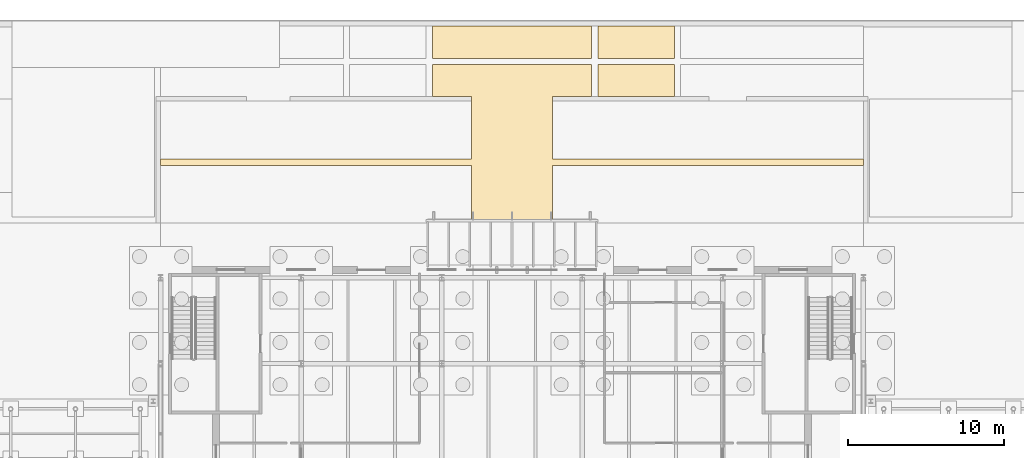
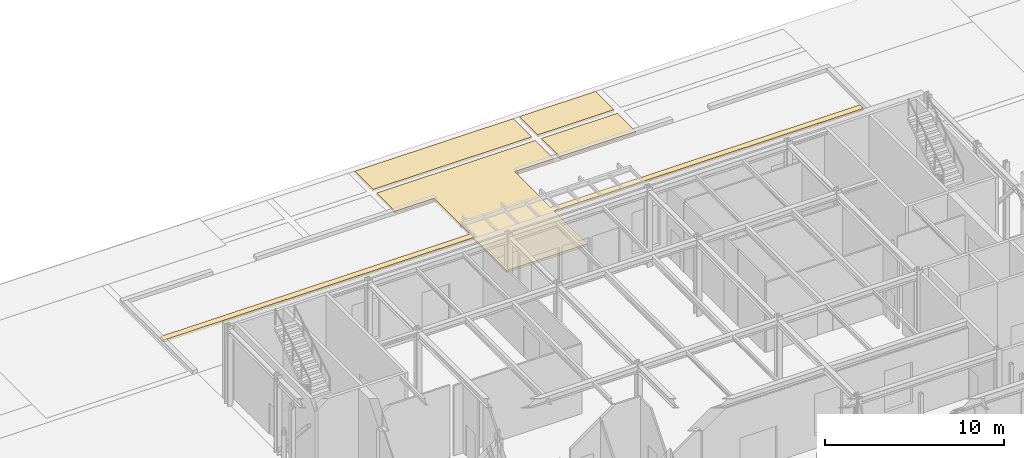
# One storey, part 115 of 126: 4 coverings.
"""IFC4 building model written with IfcOpenShell, lengths in metres."""

from ifc_helpers import new_model, si_unit, direction, frame, origin, place, context, subcontext, project, spatial, polyline, outline, extrude, material, layer, layer_set, type_object, element, save


model = new_model("IFC4")

# Units and contexts
model_context = context("Model", 3, precision=1e-05, world=origin(), true_north=direction((0.0, 1.0)))
body_context = subcontext(model_context, "Body", "Model", "MODEL_VIEW")
ifc_project = project(units=[si_unit("LENGTHUNIT", "METRE"), si_unit("AREAUNIT", "SQUARE_METRE"), si_unit("VOLUMEUNIT", "CUBIC_METRE"), si_unit("PLANEANGLEUNIT", "RADIAN"), si_unit("MASSUNIT", "GRAM", prefix="KILO")], contexts=[model_context])

# Site, building, storey
site_placement = place(None, origin())
site = spatial("IfcSite", under=ifc_project, at=site_placement, CompositionType="ELEMENT")
building_placement = place(site_placement, origin())
building = spatial("IfcBuilding", under=site, at=building_placement, Name="Kallimachos Central Library", CompositionType="ELEMENT")
storey_placement = place(building_placement, origin())
storey = spatial("IfcBuildingStorey", under=building, at=storey_placement, Name="L00", CompositionType="ELEMENT", Elevation=0.0)

# Coverings
ifc_material = material(Name="Granite paving", Category="masonry")
ifc_layer = layer(ifc_material, 0.14990234375)
ifc_layer_set = layer_set([ifc_layer], Name="Entrance square stone paving 150")
covering_type = type_object("IfcCoveringType", Name="Entrance square stone paving 150", PredefinedType="FLOORING", material=ifc_layer_set)
covering_1_placement = place(storey_placement, frame((0.0, 0.0, -0.14990234375)))
element("IfcCovering", 1, at=covering_1_placement, inside=storey, type_object=covering_type, Name="Entrance square stone paving A", PredefinedType="FLOORING", context=body_context, shape_type="SweptSolid", body=[
    extrude(outline(polyline([(65.5, 118.10009765625), (85.39990234375, 118.10009765625), (85.39990234375, 122.10009765625), (82.89990234375, 122.10009765625), (82.89990234375, 124.14990234375), (93.10009765625, 124.14990234375), (93.10009765625, 122.10009765625), (90.60009765625, 122.10009765625), (90.60009765625, 118.10009765625), (110.5, 118.10009765625), (110.5, 117.699951171875), (90.60009765625, 117.699951171875), (90.60009765625, 114.0), (85.39990234375, 114.0), (85.39990234375, 117.699951171875), (65.5, 117.699951171875), (65.5, 118.10009765625)])), origin(), (0.0, 0.0, 1.0), 0.14990234375),
])
covering_2_placement = place(storey_placement, frame((0.0, 0.0, -0.14990234375)))
element("IfcCovering", 2, at=covering_2_placement, inside=storey, type_object=covering_type, Name="Entrance square stone paving D", PredefinedType="FLOORING", context=body_context, shape_type="SweptSolid", body=[
    extrude(outline(polyline([(93.5, 124.14990234375), (98.39990234375, 124.14990234375), (98.39990234375, 122.10009765625), (93.5, 122.10009765625), (93.5, 124.14990234375)])), origin(), (0.0, 0.0, 1.0), 0.14990234375),
])
covering_3_placement = place(storey_placement, frame((0.0, 0.0, -0.14990234375)))
element("IfcCovering", 3, at=covering_3_placement, inside=storey, type_object=covering_type, Name="Entrance square stone paving E", PredefinedType="FLOORING", context=body_context, shape_type="SweptSolid", body=[
    extrude(outline(polyline([(98.39990234375, 124.550048828125), (93.5, 124.550048828125), (93.5, 126.60009765625), (98.39990234375, 126.60009765625), (98.39990234375, 124.550048828125)])), origin(), (0.0, 0.0, 1.0), 0.14990234375),
])
covering_4_placement = place(storey_placement, frame((0.0, 0.0, -0.14990234375)))
element("IfcCovering", 4, at=covering_4_placement, inside=storey, type_object=covering_type, Name="Entrance square stone paving F", PredefinedType="FLOORING", context=body_context, shape_type="SweptSolid", body=[
    extrude(outline(polyline([(93.10009765625, 124.550048828125), (82.89990234375, 124.550048828125), (82.89990234375, 126.60009765625), (93.10009765625, 126.60009765625), (93.10009765625, 124.550048828125)])), origin(), (0.0, 0.0, 1.0), 0.14990234375),
])

save(model, "model.ifc")
